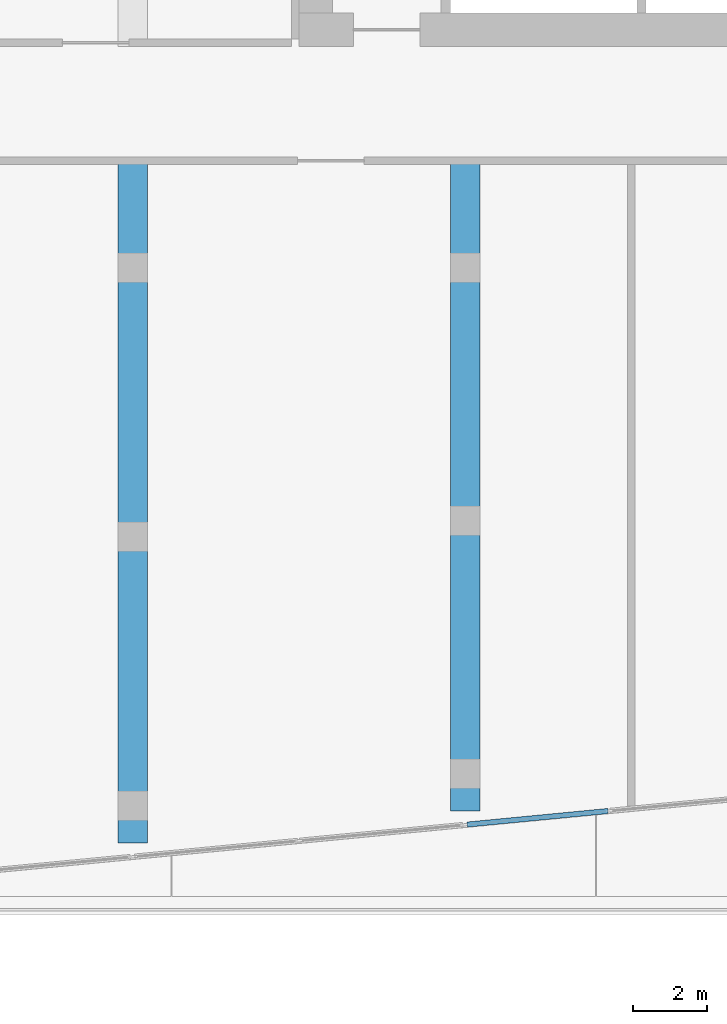
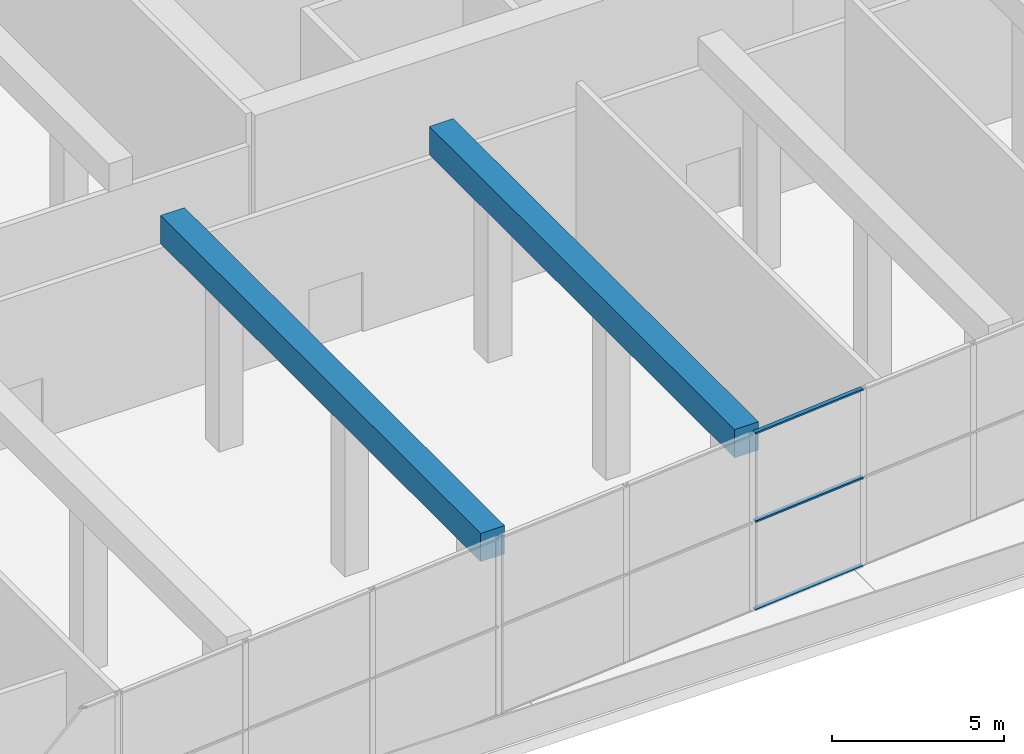
# One storey, part 4 of 25: 3 members, 2 beams, 1 element without a shape of its own.
"""IFC4 building model written with IfcOpenShell, lengths in metres."""

from ifc_helpers import new_model, si_unit, direction, frame, origin, origin_2d, place, context, subcontext, project, spatial, rectangle, extrude, material, material_profile, profile_set, type_object, element, aggregate, save


model = new_model("IFC4")

# Units and contexts
model_context = context("Model", 3, precision=1e-05, world=origin(), true_north=direction((0.0, 1.0)))
body_context = subcontext(model_context, "Body", "Model", "MODEL_VIEW")
ifc_project = project(units=[si_unit("LENGTHUNIT", "METRE"), si_unit("AREAUNIT", "SQUARE_METRE"), si_unit("VOLUMEUNIT", "CUBIC_METRE"), si_unit("PLANEANGLEUNIT", "RADIAN"), si_unit("MASSUNIT", "GRAM", prefix="KILO")], contexts=[model_context])

# Site, building, storey
site_placement = place(None, origin())
site = spatial("IfcSite", under=ifc_project, at=site_placement, CompositionType="ELEMENT")
building_placement = place(site_placement, origin())
building = spatial("IfcBuilding", under=site, at=building_placement, Name="Kajstack Hotel Tower", CompositionType="ELEMENT")
storey_placement = place(building_placement, frame((0.0, 0.0, 104.199951171875)))
storey = spatial("IfcBuildingStorey", under=building, at=storey_placement, Name="L22", CompositionType="ELEMENT", Elevation=104.199951171875)

# Curtain wall, members
ifc_material_1 = material(Name="Aluminium-framed curtain wall, low-iron insulated glass", Category="aluminium")
curtain_wall_type = type_object("IfcCurtainWallType", Name="CW-GARDEN", PredefinedType="NOTDEFINED", material=ifc_material_1)
curtain_wall_placement = place(storey_placement, origin())
curtain_wall = element("IfcCurtainWall", 1, at=curtain_wall_placement, inside=storey, type_object=curtain_wall_type, Name="Curtain wall CU6 L22-04-02-3", PredefinedType="NOTDEFINED")
ifc_material_2 = material(Name="Aluminium", Category="aluminium")
ifc_material_profile_1 = material_profile(ifc_material_2, rectangle(XDim=0.139892578125, YDim=0.06005859375, at=origin_2d()), Name="Aluminium transom 140 x 60")
ifc_profile_set_1 = profile_set([ifc_material_profile_1], Name="Aluminium")
member_type = type_object("IfcMemberType", Name="CW-T-GARDEN", PredefinedType="USERDEFINED", material=ifc_profile_set_1)
member_1_placement = place(storey_placement, frame((18.052490234375, -19.571044921875, 0.030029296875), z_axis=(0.995395825307, 0.095849626817, 0.0), x_axis=(-0.095849626817, 0.995395825307, 0.0)))
member_1 = element("IfcMember", 2, at=member_1_placement, type_object=member_type, Name="CU6 transom 1.1", ObjectType="TRANSOM", PredefinedType="USERDEFINED", context=body_context, shape_type="SweptSolid", body=[
    extrude(rectangle(XDim=0.139892578125, YDim=0.06005859375, at=origin_2d()), origin(), (0.0, 0.0, 1.0), 3.830810546875),
])
member_2_placement = place(storey_placement, frame((18.052490234375, -19.571044921875, 3.16015625), z_axis=(0.995395825307, 0.095849626817, 0.0), x_axis=(-0.095849626817, 0.995395825307, 0.0)))
member_2 = element("IfcMember", 3, at=member_2_placement, type_object=member_type, Name="CU6 transom 1.2", ObjectType="TRANSOM", PredefinedType="USERDEFINED", context=body_context, shape_type="SweptSolid", body=[
    extrude(rectangle(XDim=0.139892578125, YDim=0.06005859375, at=origin_2d()), origin(), (0.0, 0.0, 1.0), 3.830810546875),
])
member_3_placement = place(storey_placement, frame((18.052490234375, -19.571044921875, 6.2900390625), z_axis=(0.995395825307, 0.095849626817, 0.0), x_axis=(-0.095849626817, 0.995395825307, 0.0)))
member_3 = element("IfcMember", 4, at=member_3_placement, type_object=member_type, Name="CU6 transom 1.3", ObjectType="TRANSOM", PredefinedType="USERDEFINED", context=body_context, shape_type="SweptSolid", body=[
    extrude(rectangle(XDim=0.139892578125, YDim=0.06005859375, at=origin_2d()), origin(), (0.0, 0.0, 1.0), 3.830810546875),
])
aggregate(curtain_wall, [member_1, member_2, member_3])

# Beams
ifc_material_3 = material(Name="Concrete C60/75", Category="concrete")
ifc_material_profile_2 = material_profile(ifc_material_3, rectangle(XDim=0.800048828125, YDim=1.0, at=origin_2d()), Name="RC 800x1000")
ifc_profile_set_2 = profile_set([ifc_material_profile_2], Name="Concrete C60/75")
beam_type = type_object("IfcBeamType", Name="TG2 RC 800x1000 C60/75", PredefinedType="BEAM", material=ifc_profile_set_2)
beam_1_placement = place(storey_placement, frame((9.0, -20.06591796875, 5.820068359375), z_axis=(0.0, 1.0, 0.0), x_axis=(-1.0, 0.0, 0.0)))
element("IfcBeam", 5, at=beam_1_placement, inside=storey, type_object=beam_type, Name="S-girder-L22-+9p0-1", PredefinedType="BEAM", context=body_context, shape_type="SweptSolid", body=[
    extrude(rectangle(XDim=0.800048828125, YDim=1.0, at=origin_2d()), origin(), (0.0, 0.0, 1.0), 18.56591796875),
])
beam_2_placement = place(storey_placement, frame((18.0, -19.19921875, 5.820068359375), z_axis=(0.0, 1.0, 0.0), x_axis=(-1.0, 0.0, 0.0)))
element("IfcBeam", 6, at=beam_2_placement, inside=storey, type_object=beam_type, Name="S-girder-L22-+18p0-1", PredefinedType="BEAM", context=body_context, shape_type="SweptSolid", body=[
    extrude(rectangle(XDim=0.800048828125, YDim=1.0, at=origin_2d()), origin(), (0.0, 0.0, 1.0), 17.69921875),
])

save(model, "model.ifc")
